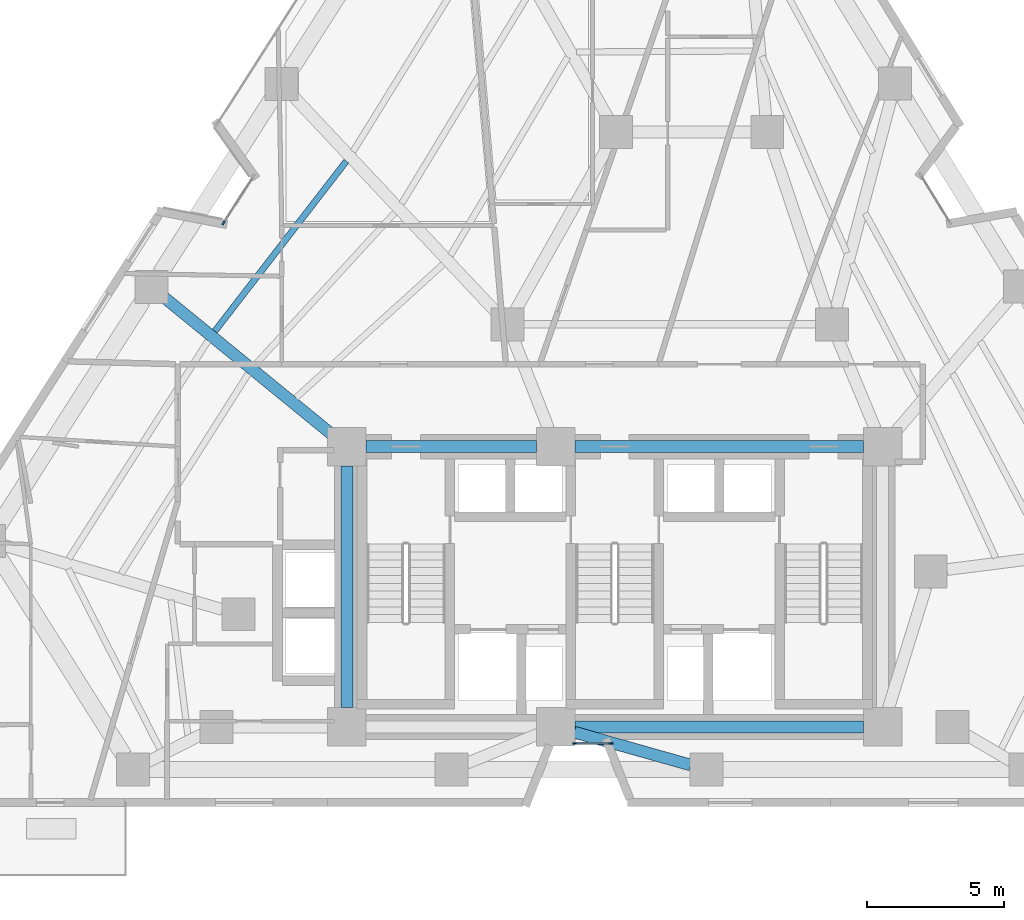
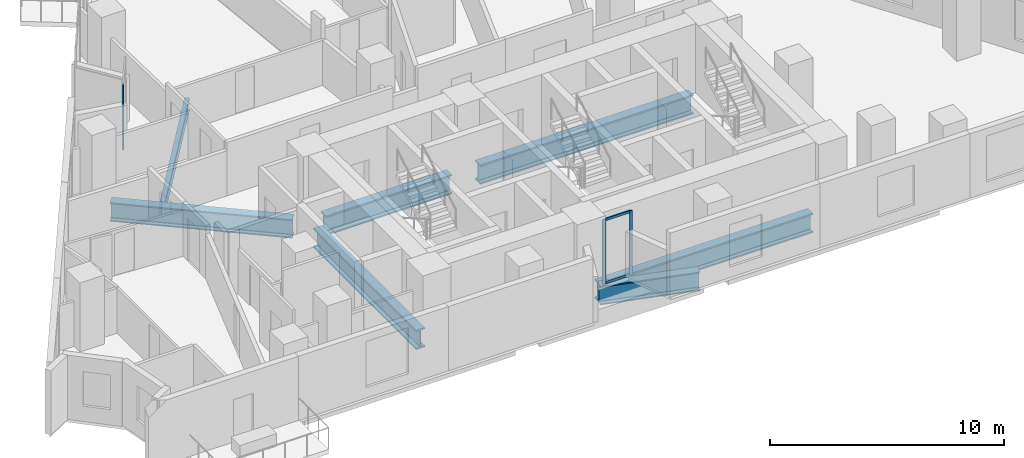
# One storey, part 2 of 13: 7 beams, 5 members, 2 elements without a shape of their own.
"""IFC4 building model written with IfcOpenShell, lengths in metres."""

from ifc_helpers import new_model, si_unit, direction, frame, origin, origin_2d, place, context, subcontext, project, spatial, rectangle, i_section, extrude, material, layer, layer_set, material_profile, profile_set, type_object, element, aggregate, save


model = new_model("IFC4")

# Units and contexts
model_context = context("Model", 3, precision=1e-05, world=origin(), true_north=direction((0.0, 1.0)))
body_context = subcontext(model_context, "Body", "Model", "MODEL_VIEW")
ifc_project = project(units=[si_unit("LENGTHUNIT", "METRE"), si_unit("AREAUNIT", "SQUARE_METRE"), si_unit("VOLUMEUNIT", "CUBIC_METRE"), si_unit("PLANEANGLEUNIT", "RADIAN"), si_unit("MASSUNIT", "GRAM", prefix="KILO")], contexts=[model_context])

# Site, building, storey
site_placement = place(None, origin())
site = spatial("IfcSite", under=ifc_project, at=site_placement, CompositionType="ELEMENT")
building_placement = place(site_placement, origin())
building = spatial("IfcBuilding", under=site, at=building_placement, Name="Almagre Mirador Tower", CompositionType="ELEMENT")
storey_placement = place(building_placement, frame((0.0, 0.0, 89.39990234375)))
storey = spatial("IfcBuildingStorey", under=building, at=storey_placement, Name="L22", CompositionType="ELEMENT", Elevation=89.39990234375)

# Beams
ifc_material_1 = material(Name="Steel ASTM A992 Grade 50", Category="steel")
ifc_material_profile_1 = material_profile(ifc_material_1, i_section(OverallWidth=0.22802734375, OverallDepth=0.60791015625, WebThickness=0.01123046875, FlangeThickness=0.017333984375, FilletRadius=0.02001953125, at=origin_2d()), Name="W24X76")
ifc_profile_set_1 = profile_set([ifc_material_profile_1], Name="Steel ASTM A992 Grade 50")
beam_type_1 = type_object("IfcBeamType", Name="BM-JST-W24X76", PredefinedType="JOIST", material=ifc_profile_set_1)
beam_1_placement = place(storey_placement, frame((27.530029296875, 25.1376953125, -0.553955078125), z_axis=(-0.611727324998, -0.791068694773, 0.0), x_axis=(0.791068694773, -0.611727324998, 0.0)))
element("IfcBeam", 1, at=beam_1_placement, inside=storey, type_object=beam_type_1, Name="L22 secondary floor joist PC10-PC11.1", PredefinedType="JOIST", context=body_context, shape_type="SweptSolid", body=[
    extrude(i_section(OverallWidth=0.22802734375, OverallDepth=0.60791015625, WebThickness=0.01123046875, FlangeThickness=0.017333984375, FilletRadius=0.02001953125, at=origin_2d()), origin(), (0.0, 0.0, 1.0), 7.82080078125),
])
ifc_material_2 = material(Name="Steel ASTM A992 Grade 50", Category="steel")
ifc_material_profile_2 = material_profile(ifc_material_2, i_section(OverallWidth=0.427978515625, OverallDepth=0.97509765625, WebThickness=0.031005859375, FlangeThickness=0.055908203125, FilletRadius=0.028076171875, at=origin_2d()), Name="W36X395")
ifc_profile_set_2 = profile_set([ifc_material_profile_2], Name="Steel ASTM A992 Grade 50")
beam_type_2 = type_object("IfcBeamType", Name="BM-STL-W36X395", PredefinedType="BEAM", material=ifc_profile_set_2)
beam_2_placement = place(storey_placement, frame((40.0625, 3.1630859375, -0.7373046875), z_axis=(-0.962376859891, 0.271718198778, 0.0), x_axis=(-0.271718198778, -0.962376859891, 0.0)))
element("IfcBeam", 2, at=beam_2_placement, inside=storey, type_object=beam_type_2, Name="L22 radial floor girder PC03-CC2", PredefinedType="BEAM", context=body_context, shape_type="SweptSolid", body=[
    extrude(i_section(OverallWidth=0.427978515625, OverallDepth=0.97509765625, WebThickness=0.031005859375, FlangeThickness=0.055908203125, FilletRadius=0.028076171875, at=origin_2d()), origin(), (0.0, 0.0, 1.0), 4.404541015625),
])
beam_3_placement = place(storey_placement, frame((20.90673828125, 20.177490234375, -0.7373046875), z_axis=(0.774403065798, -0.632692572805, 0.0), x_axis=(0.632692572805, 0.774403065798, 0.0)))
element("IfcBeam", 3, at=beam_3_placement, inside=storey, type_object=beam_type_2, Name="L22 radial floor girder PC11-CC4", PredefinedType="BEAM", context=body_context, shape_type="SweptSolid", body=[
    extrude(i_section(OverallWidth=0.427978515625, OverallDepth=0.97509765625, WebThickness=0.031005859375, FlangeThickness=0.055908203125, FilletRadius=0.028076171875, at=origin_2d()), origin(), (0.0, 0.0, 1.0), 7.87841796875),
])
ifc_material_3 = material(Name="Steel ASTM A992 Grade 50", Category="steel")
ifc_material_profile_3 = material_profile(ifc_material_3, i_section(OverallWidth=0.43701171875, OverallDepth=1.010986328125, WebThickness=0.041015625, FlangeThickness=0.073974609375, FilletRadius=0.028076171875, at=origin_2d()), Name="W36X529")
ifc_profile_set_3 = profile_set([ifc_material_profile_3], Name="Steel ASTM A992 Grade 50")
beam_type_3 = type_object("IfcBeamType", Name="BM-STL-W36X529", PredefinedType="BEAM", material=ifc_profile_set_3)
beam_4_placement = place(storey_placement, frame((35.85009765625, 4.550048828125, -0.75537109375), z_axis=(1.0, 0.0, 0.0), x_axis=(0.0, 1.0, 0.0)))
element("IfcBeam", 4, at=beam_4_placement, inside=storey, type_object=beam_type_3, Name="L22 core tie girder CC2-CC3", PredefinedType="BEAM", context=body_context, shape_type="SweptSolid", body=[
    extrude(i_section(OverallWidth=0.43701171875, OverallDepth=1.010986328125, WebThickness=0.041015625, FlangeThickness=0.073974609375, FilletRadius=0.028076171875, at=origin_2d()), origin(), (0.0, 0.0, 1.0), 10.5),
])
beam_5_placement = place(storey_placement, frame((28.25, 14.75, -0.75537109375), z_axis=(1.0, 0.0, 0.0), x_axis=(0.0, 1.0, 0.0)))
element("IfcBeam", 5, at=beam_5_placement, inside=storey, type_object=beam_type_3, Name="L22 core tie girder CC4-CC5", PredefinedType="BEAM", context=body_context, shape_type="SweptSolid", body=[
    extrude(i_section(OverallWidth=0.43701171875, OverallDepth=1.010986328125, WebThickness=0.041015625, FlangeThickness=0.073974609375, FilletRadius=0.028076171875, at=origin_2d()), origin(), (0.0, 0.0, 1.0), 6.199951171875),
])
beam_6_placement = place(storey_placement, frame((35.85009765625, 14.75, -0.75537109375), z_axis=(1.0, 0.0, 0.0), x_axis=(0.0, 1.0, 0.0)))
element("IfcBeam", 6, at=beam_6_placement, inside=storey, type_object=beam_type_3, Name="L22 core tie girder CC5-CC6", PredefinedType="BEAM", context=body_context, shape_type="SweptSolid", body=[
    extrude(i_section(OverallWidth=0.43701171875, OverallDepth=1.010986328125, WebThickness=0.041015625, FlangeThickness=0.073974609375, FilletRadius=0.028076171875, at=origin_2d()), origin(), (0.0, 0.0, 1.0), 10.5),
])
beam_7_placement = place(storey_placement, frame((27.550048828125, 5.25, -0.75537109375), z_axis=(0.0, 1.0, 0.0), x_axis=(-1.0, 0.0, 0.0)))
element("IfcBeam", 7, at=beam_7_placement, inside=storey, type_object=beam_type_3, Name="L22 core tie girder CC1-CC4", PredefinedType="BEAM", context=body_context, shape_type="SweptSolid", body=[
    extrude(i_section(OverallWidth=0.43701171875, OverallDepth=1.010986328125, WebThickness=0.041015625, FlangeThickness=0.073974609375, FilletRadius=0.028076171875, at=origin_2d()), origin(), (0.0, 0.0, 1.0), 8.800048828125),
])

# Curtain wall, member
ifc_material_4 = material(Name="Black anodized aluminium", Category="aluminium")
ifc_layer = layer(ifc_material_4, 0.169921875)
ifc_layer_set = layer_set([ifc_layer], Name="Black anodized aluminium")
curtain_wall_type = type_object("IfcCurtainWallType", Name="CW-CRS-SYS", PredefinedType="NOTDEFINED", material=ifc_layer_set)
curtain_wall_1_placement = place(storey_placement, origin())
curtain_wall_1 = element("IfcCurtainWall", 8, at=curtain_wall_1_placement, inside=storey, type_object=curtain_wall_type, Name="L22 vertical crease curtain wall 01", PredefinedType="NOTDEFINED")
ifc_material_5 = material(Name="Black anodized aluminium", Category="aluminium")
ifc_material_profile_4 = material_profile(ifc_material_5, rectangle(XDim=0.06005859375, YDim=0.14990234375, at=origin_2d()), Name="CWM60X150")
ifc_profile_set_4 = profile_set([ifc_material_profile_4], Name="Black anodized aluminium")
member_type_1 = type_object("IfcMemberType", Name="MBR-CWM60X150", PredefinedType="MULLION", material=ifc_profile_set_4)
member_1_placement = place(storey_placement, frame((23.063232421875, 22.88525390625, 0.0), z_axis=(0.0, 0.0, 1.0), x_axis=(-0.842141027103, 0.539257350873, 0.0)))
member_1 = element("IfcMember", 9, at=member_1_placement, type_object=member_type_1, Name="CW-4 mullion 1", PredefinedType="MULLION", context=body_context, shape_type="SweptSolid", body=[
    extrude(rectangle(XDim=0.06005859375, YDim=0.14990234375, at=origin_2d()), origin(), (0.0, 0.0, 1.0), 3.35009765625),
])
aggregate(curtain_wall_1, [member_1])

# Curtain wall, members
curtain_wall_2_placement = place(storey_placement, origin())
curtain_wall_2 = element("IfcCurtainWall", 10, at=curtain_wall_2_placement, inside=storey, type_object=curtain_wall_type, Name="L22 vertical crease curtain wall 04", PredefinedType="NOTDEFINED")
member_2_placement = place(storey_placement, frame((37.155029296875, 3.949951171875, 0.0), z_axis=(0.0, 0.0, 1.0), x_axis=(0.0, -1.0, 0.0)))
member_2 = element("IfcMember", 11, at=member_2_placement, type_object=member_type_1, Name="CW-4 mullion 1", PredefinedType="MULLION", context=body_context, shape_type="SweptSolid", body=[
    extrude(rectangle(XDim=0.06005859375, YDim=0.14990234375, at=origin_2d()), origin(), (0.0, 0.0, 1.0), 3.35009765625),
])
member_3_placement = place(storey_placement, frame((35.842041015625, 3.949951171875, 0.0), z_axis=(0.0, 0.0, 1.0), x_axis=(0.0, -1.0, 0.0)))
member_3 = element("IfcMember", 12, at=member_3_placement, type_object=member_type_1, Name="CW-4 mullion 2", PredefinedType="MULLION", context=body_context, shape_type="SweptSolid", body=[
    extrude(rectangle(XDim=0.06005859375, YDim=0.14990234375, at=origin_2d()), origin(), (0.0, 0.0, 1.0), 3.35009765625),
])
ifc_material_6 = material(Name="Black anodized aluminium", Category="aluminium")
ifc_material_profile_5 = material_profile(ifc_material_6, rectangle(XDim=0.06005859375, YDim=0.1298828125, at=origin_2d()), Name="CWT60X130")
ifc_profile_set_5 = profile_set([ifc_material_profile_5], Name="Black anodized aluminium")
member_type_2 = type_object("IfcMemberType", Name="MBR-CWT60X130", PredefinedType="USERDEFINED", material=ifc_profile_set_5)
member_4_placement = place(storey_placement, frame((37.125, 3.949951171875, 0.030029296875), z_axis=(-1.0, 0.0, 0.0), x_axis=(0.0, -1.0, 0.0)))
member_4 = element("IfcMember", 13, at=member_4_placement, type_object=member_type_2, Name="CW-4 transom 1.1", ObjectType="TRANSOM", PredefinedType="USERDEFINED", context=body_context, shape_type="SweptSolid", body=[
    extrude(rectangle(XDim=0.06005859375, YDim=0.1298828125, at=origin_2d()), origin(), (0.0, 0.0, 1.0), 1.2529296875),
])
member_5_placement = place(storey_placement, frame((37.125, 3.949951171875, 3.320068359375), z_axis=(-1.0, 0.0, 0.0), x_axis=(0.0, -1.0, 0.0)))
member_5 = element("IfcMember", 14, at=member_5_placement, type_object=member_type_2, Name="CW-4 transom 1.2", ObjectType="TRANSOM", PredefinedType="USERDEFINED", context=body_context, shape_type="SweptSolid", body=[
    extrude(rectangle(XDim=0.06005859375, YDim=0.1298828125, at=origin_2d()), origin(), (0.0, 0.0, 1.0), 1.2529296875),
])
aggregate(curtain_wall_2, [member_2, member_3, member_4, member_5])

save(model, "model.ifc")
